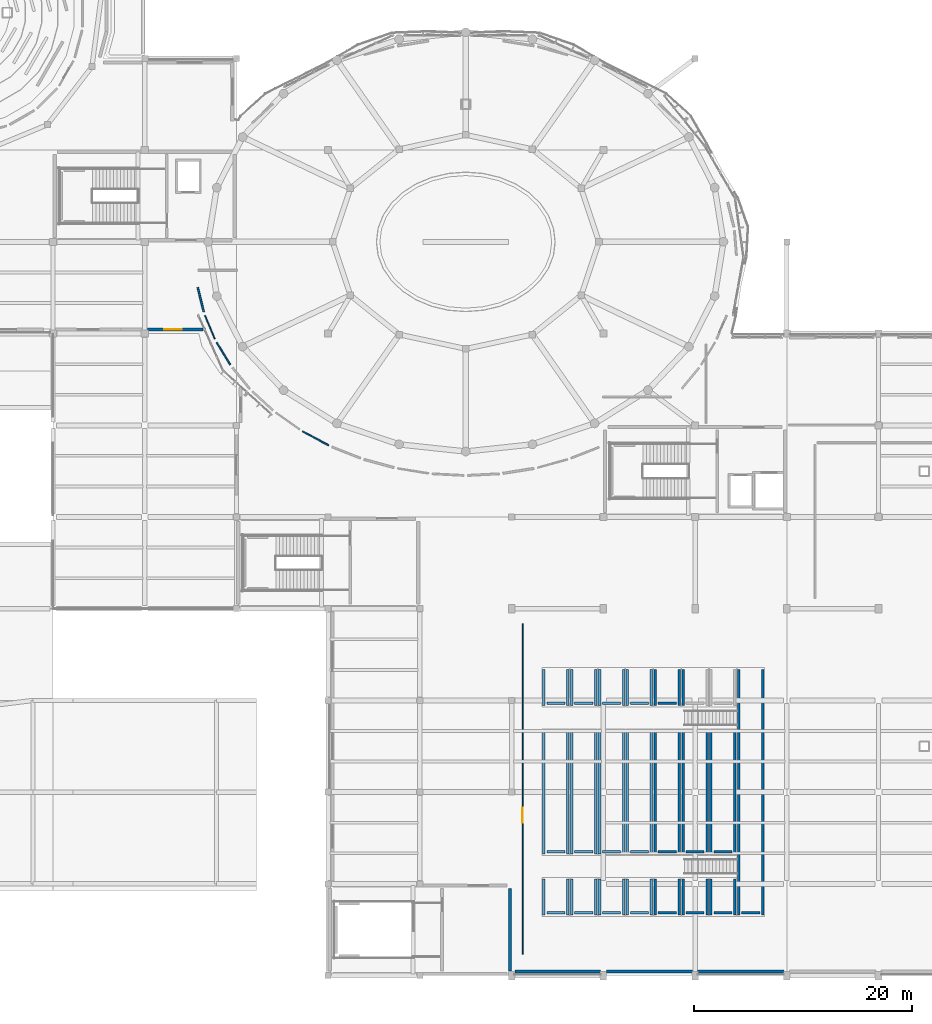
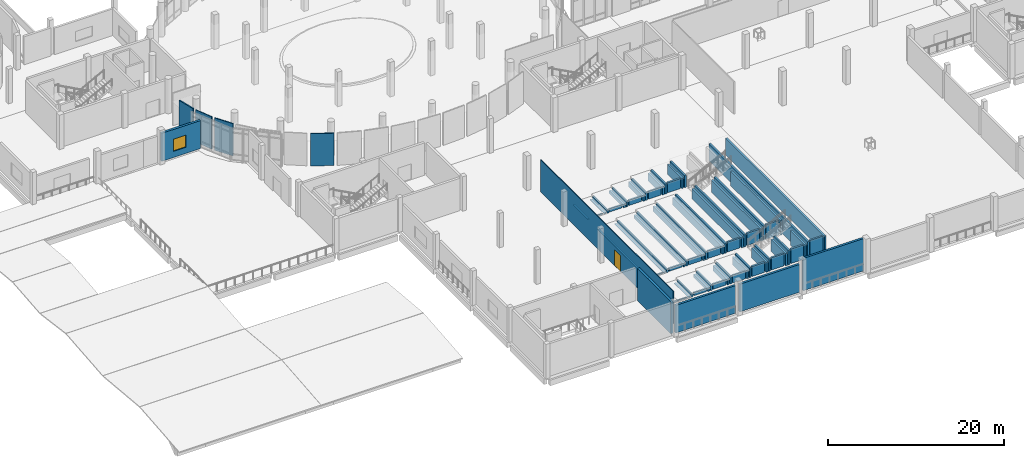
# One storey, part 41 of 63: 71 walls, 1 door, 1 window, 2 openings.
"""IFC4 building model written with IfcOpenShell, lengths in metres."""

from ifc_helpers import new_model, si_unit, derived_unit, direction, frame, frame_2d, origin, place, context, subcontext, project, spatial, rectangle, extrude, material, layer, layer_set, type_object, element, fill, save


model = new_model("IFC4")

# Units and contexts
model_context = context("Model", 3, precision=1e-05, world=origin(), true_north=direction((0.0, 1.0)))
body_context = subcontext(model_context, "Body", "Model", "MODEL_VIEW")
ifc_project = project(units=[si_unit("LENGTHUNIT", "METRE"), si_unit("AREAUNIT", "SQUARE_METRE"), si_unit("VOLUMEUNIT", "CUBIC_METRE"), si_unit("PLANEANGLEUNIT", "RADIAN"), si_unit("MASSUNIT", "GRAM", prefix="KILO"), derived_unit("THERMALTRANSMITTANCEUNIT", [(si_unit("POWERUNIT", "WATT"), 1), (si_unit("LENGTHUNIT", "METRE"), -2), (si_unit("THERMODYNAMICTEMPERATUREUNIT", "KELVIN"), -1)])], contexts=[model_context])

# Site, building, storey
site_placement = place(None, origin())
site = spatial("IfcSite", under=ifc_project, at=site_placement, CompositionType="ELEMENT")
building_placement = place(site_placement, origin())
building = spatial("IfcBuilding", under=site, at=building_placement, Name="Elbkamm Science Centre", CompositionType="ELEMENT")
storey_placement = place(building_placement, frame((0.0, 0.0, 5.10009765625)))
storey = spatial("IfcBuildingStorey", under=building, at=storey_placement, Name="L01", CompositionType="ELEMENT", Elevation=5.10009765625)

# Walls
ifc_material_1 = material(Name="Reinforced concrete C40/50", Category="concrete")
ifc_layer_1 = layer(ifc_material_1, 0.300048828125)
ifc_layer_set_1 = layer_set([ifc_layer_1], Name="Reinforced concrete C40/50")
wall_type_1 = type_object("IfcWallType", Name="WL-CORE-300", PredefinedType="SHEAR", material=ifc_layer_set_1)
wall_1_placement = place(storey_placement, frame((67.050048828125, 0.419921875, 0.0), z_axis=(0.0, 0.0, 1.0), x_axis=(0.0, 1.0, 0.0)))
element("IfcWall", 1, at=wall_1_placement, inside=storey, type_object=wall_type_1, Name="L01 Core C6 South Theatre Assembly Egress Core Shear Wall E", PredefinedType="SHEAR", context=body_context, shape_type="SweptSolid", body=[
    extrude(rectangle(XDim=7.56005859375, YDim=0.300048828125, at=frame_2d((3.780029296875, 0.0))), origin(), (0.0, 0.0, 1.0), 4.52978515625),
])
ifc_material_2 = material(Name="White precast concrete C40/50", Category="concrete")
ifc_layer_2 = layer(ifc_material_2, 0.27001953125)
ifc_layer_set_2 = layer_set([ifc_layer_2], Name="White precast concrete C40/50")
wall_type_2 = type_object("IfcWallType", Name="WL-EXT-270", PredefinedType="SOLIDWALL", material=ifc_layer_set_2)
wall_2_placement = place(storey_placement, frame((92.160888671875, 0.3798828125, 0.0), z_axis=(0.0, 0.0, 1.0), x_axis=(-1.0, 0.0, 0.0)))
element("IfcWall", 2, at=wall_2_placement, inside=storey, type_object=wall_type_2, Name="L01 Exterior Wall 0195", PredefinedType="SOLIDWALL", context=body_context, shape_type="SweptSolid", body=[
    extrude(rectangle(XDim=7.9208984375, YDim=0.27001953125, at=frame_2d((3.96044921875, 0.0))), origin(), (0.0, 0.0, 1.0), 4.5),
])
wall_3_placement = place(storey_placement, frame((75.36083984375, 0.3798828125, 0.0), z_axis=(0.0, 0.0, 1.0), x_axis=(-1.0, 0.0, 0.0)))
element("IfcWall", 3, at=wall_3_placement, inside=storey, type_object=wall_type_2, Name="L01 Exterior Wall 0197", PredefinedType="SOLIDWALL", context=body_context, shape_type="SweptSolid", body=[
    extrude(rectangle(XDim=7.85888671875, YDim=0.27001953125, at=frame_2d((3.929443359375, 0.0))), origin(), (0.0, 0.0, 1.0), 3.849853515625),
])
ifc_layer_3 = layer(ifc_material_2, 0.2900390625)
ifc_layer_set_3 = layer_set([ifc_layer_3], Name="White precast concrete C40/50")
wall_type_3 = type_object("IfcWallType", Name="WL-EXT-290", PredefinedType="SOLIDWALL", material=ifc_layer_set_3)
wall_4_placement = place(storey_placement, frame((83.760986328125, 0.3798828125, 0.0), z_axis=(0.0, 0.0, 1.0), x_axis=(-1.0, 0.0, 0.0)))
element("IfcWall", 4, at=wall_4_placement, inside=storey, type_object=wall_type_3, Name="L01 Exterior Wall 0196", PredefinedType="SOLIDWALL", context=body_context, shape_type="SweptSolid", body=[
    extrude(rectangle(XDim=7.85888671875, YDim=0.2900390625, at=frame_2d((3.929443359375, 0.0))), origin(), (0.0, 0.0, 1.0), 3.849853515625),
])

# Wall, opening, window
wall_5_placement = place(storey_placement, frame((38.952880859375, 59.179931640625, 0.0), z_axis=(0.0, 0.0, 1.0), x_axis=(-1.0, 0.0, 0.0)))
wall_5 = element("IfcWall", 5, at=wall_5_placement, inside=storey, type_object=wall_type_3, Name="L01 Exterior Wall 0202", PredefinedType="SOLIDWALL", context=body_context, shape_type="SweptSolid", body=[
    extrude(rectangle(XDim=5.11376953125, YDim=0.2900390625, at=frame_2d((2.556884765625, 0.0))), origin(), (0.0, 0.0, 1.0), 3.89990234375),
])
opening_1_placement = place(wall_5_placement, frame((1.95458984375, 0.0, 0.85009765625)))
opening_1 = element("IfcOpeningElement", 6, at=opening_1_placement, cuts=wall_5, Name="Opening W-16", PredefinedType="OPENING", context=body_context, shape_type="SweptSolid", body=[
    extrude(rectangle(XDim=1.60009765625, YDim=1.699951171875, at=frame_2d((0.800048828125, 0.85009765625))), frame((0.0, 0.156982421875, 0.0), z_axis=(0.0, -1.0, 0.0), x_axis=(1.0, 0.0, 0.0)), (0.0, 0.0, 1.0), 0.31396484375),
])
ifc_material_3 = material(Name="Thermally broken aluminium and triple solar glass", Category="aluminium")
ifc_layer_4 = layer(ifc_material_3, 0.06005859375)
ifc_layer_set_4 = layer_set([ifc_layer_4], Name="Thermally broken aluminium and triple solar glass")
window_type = type_object("IfcWindowType", Name="WIN-1600x1700", PartitioningType="SINGLE_PANEL", PredefinedType="WINDOW", material=ifc_layer_set_4)
window_placement = place(opening_1_placement, origin())
window = element("IfcWindow", 7, at=window_placement, inside=storey, type_object=window_type, Name="L01 Facade Window 0035", OverallHeight=1.699951171875, OverallWidth=1.60009765625, PartitioningType="SINGLE_PANEL", PredefinedType="WINDOW", context=body_context, shape_type="SweptSolid", body=[
    extrude(rectangle(XDim=1.60009765625, YDim=1.699951171875, at=frame_2d((0.800048828125, 0.85009765625))), frame((0.0, 0.030029296875, 0.0), z_axis=(0.0, -1.0, 0.0), x_axis=(1.0, 0.0, 0.0)), (0.0, 0.0, 1.0), 0.06005859375),
])
fill(opening_1, window)

# Wall
ifc_material_4 = material(Name="Drywall service partition", Category="gypsum")
ifc_layer_5 = layer(ifc_material_4, 0.10009765625)
ifc_layer_set_5 = layer_set([ifc_layer_5], Name="Drywall service partition")
wall_type_4 = type_object("IfcWallType", Name="WL-PART-100", PredefinedType="PARTITIONING", material=ifc_layer_set_5)
wall_6_placement = place(storey_placement, frame((40.01806640625, 58.312255859375, 0.0), z_axis=(0.0, 0.0, 1.0), x_axis=(-0.388038245824, 0.921643271433, 0.0)))
element("IfcWall", 8, at=wall_6_placement, inside=storey, type_object=wall_type_4, Name="L01 Marine Ecology Exhibition Hall Partition 0099", PredefinedType="PARTITIONING", context=body_context, shape_type="SweptSolid", body=[
    extrude(rectangle(XDim=2.327880859375, YDim=0.10009765625, at=frame_2d((1.1640625, 0.0))), origin(), (0.0, 0.0, 1.0), 4.5),
])

# Wall, opening, door
wall_7_placement = place(storey_placement, frame((68.199951171875, 1.97998046875, 0.0), z_axis=(0.0, 0.0, 1.0), x_axis=(0.0, 1.0, 0.0)))
wall_7 = element("IfcWall", 9, at=wall_7_placement, inside=storey, type_object=wall_type_4, Name="L01 Large-Format Science Theatre Partition 0115", PredefinedType="PARTITIONING", context=body_context, shape_type="SweptSolid", body=[
    extrude(rectangle(XDim=30.239990234375, YDim=0.10009765625, at=frame_2d((15.1201171875, 0.0))), origin(), (0.0, 0.0, 1.0), 4.5),
])
opening_2_placement = place(wall_7_placement, frame((12.000732421875, 0.0, 0.0)))
opening_2 = element("IfcOpeningElement", 10, at=opening_2_placement, cuts=wall_7, Name="Opening DI-03", PredefinedType="OPENING", context=body_context, shape_type="SweptSolid", body=[
    extrude(rectangle(XDim=1.39990234375, YDim=2.199951171875, at=frame_2d((0.699951171875, 1.10009765625))), frame((0.0, 0.06201171875, 0.0), z_axis=(0.0, -1.0, 0.0), x_axis=(1.0, 0.0, 0.0)), (0.0, 0.0, 1.0), 0.1240234375),
])
ifc_material_5 = material(Name="Acoustic oak veneer door")
ifc_layer_6 = layer(ifc_material_5, 0.050048828125)
ifc_layer_set_6 = layer_set([ifc_layer_6], Name="Acoustic oak veneer door")
door_type = type_object("IfcDoorType", Name="DR-INT-1400x2200", OperationType="DOUBLE_DOOR_SINGLE_SWING", PredefinedType="DOOR", material=ifc_layer_set_6)
door_placement = place(opening_2_placement, origin())
door = element("IfcDoor", 11, at=door_placement, inside=storey, type_object=door_type, Name="L01 Large-Format Science Theatre Door", OperationType="DOUBLE_DOOR_SINGLE_SWING", OverallHeight=2.199951171875, OverallWidth=1.39990234375, PredefinedType="DOOR", context=body_context, shape_type="SweptSolid", body=[
    extrude(rectangle(XDim=1.39990234375, YDim=2.199951171875, at=frame_2d((0.699951171875, 1.10009765625))), frame((0.0, 0.02490234375, 0.0), z_axis=(0.0, -1.0, 0.0), x_axis=(1.0, 0.0, 0.0)), (0.0, 0.0, 1.0), 0.050048828125),
])
fill(opening_2, door)

# Walls
ifc_material_6 = material(Name="Lightweight metal-stud gypsum partition", Category="gypsum")
ifc_layer_7 = layer(ifc_material_6, 0.125)
ifc_layer_set_7 = layer_set([ifc_layer_7], Name="Lightweight metal-stud gypsum partition")
wall_type_5 = type_object("IfcWallType", Name="WL-PART-125", PredefinedType="PARTITIONING", material=ifc_layer_set_7)
wall_8_placement = place(storey_placement, frame((50.44140625, 48.56494140625, 0.0), z_axis=(0.0, 0.0, 1.0), x_axis=(-0.880337685727, 0.474347508783, 0.0)))
element("IfcWall", 12, at=wall_8_placement, inside=storey, type_object=wall_type_5, Name="L01 Marine Ecology Exhibition Hall Partition 0094", PredefinedType="PARTITIONING", context=body_context, shape_type="SweptSolid", body=[
    extrude(rectangle(XDim=2.70361328125, YDim=0.125, at=frame_2d((1.351806640625, 0.0))), origin(), (0.0, 0.0, 1.0), 4.5),
])
wall_9_placement = place(storey_placement, frame((41.4287109375, 55.95361328125, 0.0), z_axis=(0.0, 0.0, 1.0), x_axis=(-0.521747455483, 0.853099989859, 0.0)))
element("IfcWall", 13, at=wall_9_placement, inside=storey, type_object=wall_type_5, Name="L01 Marine Ecology Exhibition Hall Partition 0098", PredefinedType="PARTITIONING", context=body_context, shape_type="SweptSolid", body=[
    extrude(rectangle(XDim=2.39013671875, YDim=0.125, at=frame_2d((1.195068359375, 0.0))), origin(), (0.0, 0.0, 1.0), 4.5),
])
ifc_material_7 = material(Name="Acoustic metal-stud gypsum partition", Category="gypsum")
ifc_layer_8 = layer(ifc_material_7, 0.159912109375)
ifc_layer_set_8 = layer_set([ifc_layer_8], Name="Acoustic metal-stud gypsum partition")
wall_type_6 = type_object("IfcWallType", Name="WL-PART-160", PredefinedType="PARTITIONING", material=ifc_layer_set_8)
wall_10_placement = place(storey_placement, frame((39.001953125, 60.79833984375, 0.0), z_axis=(0.0, 0.0, 1.0), x_axis=(-0.23946427509, 0.970905176089, 0.0)))
element("IfcWall", 14, at=wall_10_placement, inside=storey, type_object=wall_type_6, Name="L01 Marine Ecology Exhibition Hall Partition 0100", PredefinedType="PARTITIONING", context=body_context, shape_type="SweptSolid", body=[
    extrude(rectangle(XDim=2.28271484375, YDim=0.159912109375, at=frame_2d((1.141357421875, 0.0))), origin(), (0.0, 0.0, 1.0), 4.5),
])
ifc_layer_9 = layer(ifc_material_1, 0.239990234375)
ifc_layer_set_9 = layer_set([ifc_layer_9], Name="Reinforced concrete C40/50")
wall_type_7 = type_object("IfcWallType", Name="WL-RISER-240", PredefinedType="SOLIDWALL", material=ifc_layer_set_9)
for number, where, z_axis, x_axis, name in (
    (15, (70.14990234375, 5.550048828125, 0.0), (0.0, 0.0, 1.0), (0.0, 1.0, 0.0), "Theatre Tier 1-1 Riser Support Wall F"),
    (16, (72.35009765625, 5.550048828125, 0.0), (0.0, 0.0, 1.0), (0.0, 1.0, 0.0), "Theatre Tier 1-1 Riser Support Wall B"),
):
    element("IfcWall", number, at=place(storey_placement, frame(where, z_axis=z_axis, x_axis=x_axis)), inside=storey, type_object=wall_type_7, Name=name, PredefinedType="SOLIDWALL", context=body_context, shape_type="SweptSolid", body=[
        extrude(rectangle(XDim=3.300048828125, YDim=0.239990234375, at=frame_2d((1.64990234375, 0.0))), origin(), (0.0, 0.0, 1.0), 0.08984375),
    ])
wall_11_placement = place(storey_placement, frame((70.419921875, 5.75, 0.0), z_axis=(0.0, 0.0, 1.0), x_axis=(1.0, 0.0, 0.0)))
element("IfcWall", 17, at=wall_11_placement, inside=storey, type_object=wall_type_7, Name="Theatre Tier 1-1 Cross Raker Wall", PredefinedType="SOLIDWALL", context=body_context, shape_type="SweptSolid", body=[
    extrude(rectangle(XDim=1.66015625, YDim=0.239990234375, at=frame_2d((0.830078125, 0.0))), origin(), (0.0, 0.0, 1.0), 0.08984375),
])
for number, where, z_axis, x_axis, name in (
    (18, (70.14990234375, 24.75, 0.0), (0.0, 0.0, 1.0), (0.0, 1.0, 0.0), "Theatre Tier 1-2 Riser Support Wall F"),
    (19, (72.35009765625, 24.75, 0.0), (0.0, 0.0, 1.0), (0.0, 1.0, 0.0), "Theatre Tier 1-2 Riser Support Wall B"),
):
    element("IfcWall", number, at=place(storey_placement, frame(where, z_axis=z_axis, x_axis=x_axis)), inside=storey, type_object=wall_type_7, Name=name, PredefinedType="SOLIDWALL", context=body_context, shape_type="SweptSolid", body=[
        extrude(rectangle(XDim=3.300048828125, YDim=0.239990234375, at=frame_2d((1.64990234375, 0.0))), origin(), (0.0, 0.0, 1.0), 0.08984375),
    ])
wall_12_placement = place(storey_placement, frame((70.419921875, 24.949951171875, 0.0), z_axis=(0.0, 0.0, 1.0), x_axis=(1.0, 0.0, 0.0)))
element("IfcWall", 20, at=wall_12_placement, inside=storey, type_object=wall_type_7, Name="Theatre Tier 1-2 Cross Raker Wall", PredefinedType="SOLIDWALL", context=body_context, shape_type="SweptSolid", body=[
    extrude(rectangle(XDim=1.66015625, YDim=0.239990234375, at=frame_2d((0.830078125, 0.0))), origin(), (0.0, 0.0, 1.0), 0.08984375),
])
for number, where, z_axis, x_axis, name in (
    (21, (70.14990234375, 11.14990234375, 0.0), (0.0, 0.0, 1.0), (0.0, 1.0, 0.0), "Theatre Tier 1-3 Riser Support Wall F"),
    (22, (72.35009765625, 11.14990234375, 0.0), (0.0, 0.0, 1.0), (0.0, 1.0, 0.0), "Theatre Tier 1-3 Riser Support Wall B"),
):
    element("IfcWall", number, at=place(storey_placement, frame(where, z_axis=z_axis, x_axis=x_axis)), inside=storey, type_object=wall_type_7, Name=name, PredefinedType="SOLIDWALL", context=body_context, shape_type="SweptSolid", body=[
        extrude(rectangle(XDim=11.300048828125, YDim=0.239990234375, at=frame_2d((5.64990234375, 0.0))), origin(), (0.0, 0.0, 1.0), 0.08984375),
    ])
wall_13_placement = place(storey_placement, frame((70.419921875, 11.35009765625, 0.0), z_axis=(0.0, 0.0, 1.0), x_axis=(1.0, 0.0, 0.0)))
element("IfcWall", 23, at=wall_13_placement, inside=storey, type_object=wall_type_7, Name="Theatre Tier 1-3 Cross Raker Wall", PredefinedType="SOLIDWALL", context=body_context, shape_type="SweptSolid", body=[
    extrude(rectangle(XDim=1.66015625, YDim=0.239990234375, at=frame_2d((0.830078125, 0.0))), origin(), (0.0, 0.0, 1.0), 0.08984375),
])
for number, where, z_axis, x_axis, name in (
    (24, (72.699951171875, 5.550048828125, 0.0), (0.0, 0.0, 1.0), (0.0, 1.0, 0.0), "Theatre Tier 2-1 Riser Support Wall F"),
    (25, (74.89990234375, 5.550048828125, 0.0), (0.0, 0.0, 1.0), (0.0, 1.0, 0.0), "Theatre Tier 2-1 Riser Support Wall B"),
):
    element("IfcWall", number, at=place(storey_placement, frame(where, z_axis=z_axis, x_axis=x_axis)), inside=storey, type_object=wall_type_7, Name=name, PredefinedType="SOLIDWALL", context=body_context, shape_type="SweptSolid", body=[
        extrude(rectangle(XDim=3.300048828125, YDim=0.239990234375, at=frame_2d((1.64990234375, 0.0))), origin(), (0.0, 0.0, 1.0), 0.409912109375),
    ])
wall_14_placement = place(storey_placement, frame((72.969970703125, 5.75, 0.0), z_axis=(0.0, 0.0, 1.0), x_axis=(1.0, 0.0, 0.0)))
element("IfcWall", 26, at=wall_14_placement, inside=storey, type_object=wall_type_7, Name="Theatre Tier 2-1 Cross Raker Wall", PredefinedType="SOLIDWALL", context=body_context, shape_type="SweptSolid", body=[
    extrude(rectangle(XDim=1.659912109375, YDim=0.239990234375, at=frame_2d((0.830078125, 0.0))), origin(), (0.0, 0.0, 1.0), 0.409912109375),
])
for number, where, z_axis, x_axis, name in (
    (27, (72.699951171875, 24.75, 0.0), (0.0, 0.0, 1.0), (0.0, 1.0, 0.0), "Theatre Tier 2-2 Riser Support Wall F"),
    (28, (74.89990234375, 24.75, 0.0), (0.0, 0.0, 1.0), (0.0, 1.0, 0.0), "Theatre Tier 2-2 Riser Support Wall B"),
):
    element("IfcWall", number, at=place(storey_placement, frame(where, z_axis=z_axis, x_axis=x_axis)), inside=storey, type_object=wall_type_7, Name=name, PredefinedType="SOLIDWALL", context=body_context, shape_type="SweptSolid", body=[
        extrude(rectangle(XDim=3.300048828125, YDim=0.239990234375, at=frame_2d((1.64990234375, 0.0))), origin(), (0.0, 0.0, 1.0), 0.409912109375),
    ])
wall_15_placement = place(storey_placement, frame((72.969970703125, 24.949951171875, 0.0), z_axis=(0.0, 0.0, 1.0), x_axis=(1.0, 0.0, 0.0)))
element("IfcWall", 29, at=wall_15_placement, inside=storey, type_object=wall_type_7, Name="Theatre Tier 2-2 Cross Raker Wall", PredefinedType="SOLIDWALL", context=body_context, shape_type="SweptSolid", body=[
    extrude(rectangle(XDim=1.659912109375, YDim=0.239990234375, at=frame_2d((0.830078125, 0.0))), origin(), (0.0, 0.0, 1.0), 0.409912109375),
])
for number, where, z_axis, x_axis, name in (
    (30, (72.699951171875, 11.14990234375, 0.0), (0.0, 0.0, 1.0), (0.0, 1.0, 0.0), "Theatre Tier 2-3 Riser Support Wall F"),
    (31, (74.89990234375, 11.14990234375, 0.0), (0.0, 0.0, 1.0), (0.0, 1.0, 0.0), "Theatre Tier 2-3 Riser Support Wall B"),
):
    element("IfcWall", number, at=place(storey_placement, frame(where, z_axis=z_axis, x_axis=x_axis)), inside=storey, type_object=wall_type_7, Name=name, PredefinedType="SOLIDWALL", context=body_context, shape_type="SweptSolid", body=[
        extrude(rectangle(XDim=11.300048828125, YDim=0.239990234375, at=frame_2d((5.64990234375, 0.0))), origin(), (0.0, 0.0, 1.0), 0.409912109375),
    ])
wall_16_placement = place(storey_placement, frame((72.969970703125, 11.35009765625, 0.0), z_axis=(0.0, 0.0, 1.0), x_axis=(1.0, 0.0, 0.0)))
element("IfcWall", 32, at=wall_16_placement, inside=storey, type_object=wall_type_7, Name="Theatre Tier 2-3 Cross Raker Wall", PredefinedType="SOLIDWALL", context=body_context, shape_type="SweptSolid", body=[
    extrude(rectangle(XDim=1.659912109375, YDim=0.239990234375, at=frame_2d((0.830078125, 0.0))), origin(), (0.0, 0.0, 1.0), 0.409912109375),
])
for number, where, z_axis, x_axis, name in (
    (33, (75.25, 5.550048828125, 0.0), (0.0, 0.0, 1.0), (0.0, 1.0, 0.0), "Theatre Tier 3-1 Riser Support Wall F"),
    (34, (77.449951171875, 5.550048828125, 0.0), (0.0, 0.0, 1.0), (0.0, 1.0, 0.0), "Theatre Tier 3-1 Riser Support Wall B"),
):
    element("IfcWall", number, at=place(storey_placement, frame(where, z_axis=z_axis, x_axis=x_axis)), inside=storey, type_object=wall_type_7, Name=name, PredefinedType="SOLIDWALL", context=body_context, shape_type="SweptSolid", body=[
        extrude(rectangle(XDim=3.300048828125, YDim=0.239990234375, at=frame_2d((1.64990234375, 0.0))), origin(), (0.0, 0.0, 1.0), 0.72998046875),
    ])
wall_17_placement = place(storey_placement, frame((75.52001953125, 5.75, 0.0), z_axis=(0.0, 0.0, 1.0), x_axis=(1.0, 0.0, 0.0)))
element("IfcWall", 35, at=wall_17_placement, inside=storey, type_object=wall_type_7, Name="Theatre Tier 3-1 Cross Raker Wall", PredefinedType="SOLIDWALL", context=body_context, shape_type="SweptSolid", body=[
    extrude(rectangle(XDim=1.659912109375, YDim=0.239990234375, at=frame_2d((0.830078125, 0.0))), origin(), (0.0, 0.0, 1.0), 0.72998046875),
])
for number, where, z_axis, x_axis, name in (
    (36, (75.25, 24.75, 0.0), (0.0, 0.0, 1.0), (0.0, 1.0, 0.0), "Theatre Tier 3-2 Riser Support Wall F"),
    (37, (77.449951171875, 24.75, 0.0), (0.0, 0.0, 1.0), (0.0, 1.0, 0.0), "Theatre Tier 3-2 Riser Support Wall B"),
):
    element("IfcWall", number, at=place(storey_placement, frame(where, z_axis=z_axis, x_axis=x_axis)), inside=storey, type_object=wall_type_7, Name=name, PredefinedType="SOLIDWALL", context=body_context, shape_type="SweptSolid", body=[
        extrude(rectangle(XDim=3.300048828125, YDim=0.239990234375, at=frame_2d((1.64990234375, 0.0))), origin(), (0.0, 0.0, 1.0), 0.72998046875),
    ])
wall_18_placement = place(storey_placement, frame((75.52001953125, 24.949951171875, 0.0), z_axis=(0.0, 0.0, 1.0), x_axis=(1.0, 0.0, 0.0)))
element("IfcWall", 38, at=wall_18_placement, inside=storey, type_object=wall_type_7, Name="Theatre Tier 3-2 Cross Raker Wall", PredefinedType="SOLIDWALL", context=body_context, shape_type="SweptSolid", body=[
    extrude(rectangle(XDim=1.659912109375, YDim=0.239990234375, at=frame_2d((0.830078125, 0.0))), origin(), (0.0, 0.0, 1.0), 0.72998046875),
])
for number, where, z_axis, x_axis, name in (
    (39, (75.25, 11.14990234375, 0.0), (0.0, 0.0, 1.0), (0.0, 1.0, 0.0), "Theatre Tier 3-3 Riser Support Wall F"),
    (40, (77.449951171875, 11.14990234375, 0.0), (0.0, 0.0, 1.0), (0.0, 1.0, 0.0), "Theatre Tier 3-3 Riser Support Wall B"),
):
    element("IfcWall", number, at=place(storey_placement, frame(where, z_axis=z_axis, x_axis=x_axis)), inside=storey, type_object=wall_type_7, Name=name, PredefinedType="SOLIDWALL", context=body_context, shape_type="SweptSolid", body=[
        extrude(rectangle(XDim=11.300048828125, YDim=0.239990234375, at=frame_2d((5.64990234375, 0.0))), origin(), (0.0, 0.0, 1.0), 0.72998046875),
    ])
wall_19_placement = place(storey_placement, frame((75.52001953125, 11.35009765625, 0.0), z_axis=(0.0, 0.0, 1.0), x_axis=(1.0, 0.0, 0.0)))
element("IfcWall", 41, at=wall_19_placement, inside=storey, type_object=wall_type_7, Name="Theatre Tier 3-3 Cross Raker Wall", PredefinedType="SOLIDWALL", context=body_context, shape_type="SweptSolid", body=[
    extrude(rectangle(XDim=1.659912109375, YDim=0.239990234375, at=frame_2d((0.830078125, 0.0))), origin(), (0.0, 0.0, 1.0), 0.72998046875),
])
for number, where, z_axis, x_axis, name in (
    (42, (77.800048828125, 5.550048828125, 0.0), (0.0, 0.0, 1.0), (0.0, 1.0, 0.0), "Theatre Tier 4-1 Riser Support Wall F"),
    (43, (80.0, 5.550048828125, 0.0), (0.0, 0.0, 1.0), (0.0, 1.0, 0.0), "Theatre Tier 4-1 Riser Support Wall B"),
):
    element("IfcWall", number, at=place(storey_placement, frame(where, z_axis=z_axis, x_axis=x_axis)), inside=storey, type_object=wall_type_7, Name=name, PredefinedType="SOLIDWALL", context=body_context, shape_type="SweptSolid", body=[
        extrude(rectangle(XDim=3.300048828125, YDim=0.239990234375, at=frame_2d((1.64990234375, 0.0))), origin(), (0.0, 0.0, 1.0), 1.0498046875),
    ])
wall_20_placement = place(storey_placement, frame((78.070068359375, 5.75, 0.0), z_axis=(0.0, 0.0, 1.0), x_axis=(1.0, 0.0, 0.0)))
element("IfcWall", 44, at=wall_20_placement, inside=storey, type_object=wall_type_7, Name="Theatre Tier 4-1 Cross Raker Wall", PredefinedType="SOLIDWALL", context=body_context, shape_type="SweptSolid", body=[
    extrude(rectangle(XDim=1.659912109375, YDim=0.239990234375, at=frame_2d((0.830078125, 0.0))), origin(), (0.0, 0.0, 1.0), 1.0498046875),
])
for number, where, z_axis, x_axis, name in (
    (45, (77.800048828125, 24.75, 0.0), (0.0, 0.0, 1.0), (0.0, 1.0, 0.0), "Theatre Tier 4-2 Riser Support Wall F"),
    (46, (80.0, 24.75, 0.0), (0.0, 0.0, 1.0), (0.0, 1.0, 0.0), "Theatre Tier 4-2 Riser Support Wall B"),
):
    element("IfcWall", number, at=place(storey_placement, frame(where, z_axis=z_axis, x_axis=x_axis)), inside=storey, type_object=wall_type_7, Name=name, PredefinedType="SOLIDWALL", context=body_context, shape_type="SweptSolid", body=[
        extrude(rectangle(XDim=3.300048828125, YDim=0.239990234375, at=frame_2d((1.64990234375, 0.0))), origin(), (0.0, 0.0, 1.0), 1.0498046875),
    ])
wall_21_placement = place(storey_placement, frame((78.070068359375, 24.949951171875, 0.0), z_axis=(0.0, 0.0, 1.0), x_axis=(1.0, 0.0, 0.0)))
element("IfcWall", 47, at=wall_21_placement, inside=storey, type_object=wall_type_7, Name="Theatre Tier 4-2 Cross Raker Wall", PredefinedType="SOLIDWALL", context=body_context, shape_type="SweptSolid", body=[
    extrude(rectangle(XDim=1.659912109375, YDim=0.239990234375, at=frame_2d((0.830078125, 0.0))), origin(), (0.0, 0.0, 1.0), 1.0498046875),
])
for number, where, z_axis, x_axis, name in (
    (48, (77.800048828125, 11.14990234375, 0.0), (0.0, 0.0, 1.0), (0.0, 1.0, 0.0), "Theatre Tier 4-3 Riser Support Wall F"),
    (49, (80.0, 11.14990234375, 0.0), (0.0, 0.0, 1.0), (0.0, 1.0, 0.0), "Theatre Tier 4-3 Riser Support Wall B"),
):
    element("IfcWall", number, at=place(storey_placement, frame(where, z_axis=z_axis, x_axis=x_axis)), inside=storey, type_object=wall_type_7, Name=name, PredefinedType="SOLIDWALL", context=body_context, shape_type="SweptSolid", body=[
        extrude(rectangle(XDim=11.300048828125, YDim=0.239990234375, at=frame_2d((5.64990234375, 0.0))), origin(), (0.0, 0.0, 1.0), 1.0498046875),
    ])
wall_22_placement = place(storey_placement, frame((78.070068359375, 11.35009765625, 0.0), z_axis=(0.0, 0.0, 1.0), x_axis=(1.0, 0.0, 0.0)))
element("IfcWall", 50, at=wall_22_placement, inside=storey, type_object=wall_type_7, Name="Theatre Tier 4-3 Cross Raker Wall", PredefinedType="SOLIDWALL", context=body_context, shape_type="SweptSolid", body=[
    extrude(rectangle(XDim=1.659912109375, YDim=0.239990234375, at=frame_2d((0.830078125, 0.0))), origin(), (0.0, 0.0, 1.0), 1.0498046875),
])
for number, where, z_axis, x_axis, name in (
    (51, (80.35009765625, 5.550048828125, 0.0), (0.0, 0.0, 1.0), (0.0, 1.0, 0.0), "Theatre Tier 5-1 Riser Support Wall F"),
    (52, (82.550048828125, 5.550048828125, 0.0), (0.0, 0.0, 1.0), (0.0, 1.0, 0.0), "Theatre Tier 5-1 Riser Support Wall B"),
):
    element("IfcWall", number, at=place(storey_placement, frame(where, z_axis=z_axis, x_axis=x_axis)), inside=storey, type_object=wall_type_7, Name=name, PredefinedType="SOLIDWALL", context=body_context, shape_type="SweptSolid", body=[
        extrude(rectangle(XDim=3.300048828125, YDim=0.239990234375, at=frame_2d((1.64990234375, 0.0))), origin(), (0.0, 0.0, 1.0), 1.369873046875),
    ])
wall_23_placement = place(storey_placement, frame((80.6201171875, 5.75, 0.0), z_axis=(0.0, 0.0, 1.0), x_axis=(1.0, 0.0, 0.0)))
element("IfcWall", 53, at=wall_23_placement, inside=storey, type_object=wall_type_7, Name="Theatre Tier 5-1 Cross Raker Wall", PredefinedType="SOLIDWALL", context=body_context, shape_type="SweptSolid", body=[
    extrude(rectangle(XDim=1.659912109375, YDim=0.239990234375, at=frame_2d((0.830078125, 0.0))), origin(), (0.0, 0.0, 1.0), 1.369873046875),
])
for number, where, z_axis, x_axis, name in (
    (54, (80.35009765625, 24.75, 0.0), (0.0, 0.0, 1.0), (0.0, 1.0, 0.0), "Theatre Tier 5-2 Riser Support Wall F"),
    (55, (82.550048828125, 24.75, 0.0), (0.0, 0.0, 1.0), (0.0, 1.0, 0.0), "Theatre Tier 5-2 Riser Support Wall B"),
):
    element("IfcWall", number, at=place(storey_placement, frame(where, z_axis=z_axis, x_axis=x_axis)), inside=storey, type_object=wall_type_7, Name=name, PredefinedType="SOLIDWALL", context=body_context, shape_type="SweptSolid", body=[
        extrude(rectangle(XDim=3.300048828125, YDim=0.239990234375, at=frame_2d((1.64990234375, 0.0))), origin(), (0.0, 0.0, 1.0), 1.369873046875),
    ])
wall_24_placement = place(storey_placement, frame((80.6201171875, 24.949951171875, 0.0), z_axis=(0.0, 0.0, 1.0), x_axis=(1.0, 0.0, 0.0)))
element("IfcWall", 56, at=wall_24_placement, inside=storey, type_object=wall_type_7, Name="Theatre Tier 5-2 Cross Raker Wall", PredefinedType="SOLIDWALL", context=body_context, shape_type="SweptSolid", body=[
    extrude(rectangle(XDim=1.659912109375, YDim=0.239990234375, at=frame_2d((0.830078125, 0.0))), origin(), (0.0, 0.0, 1.0), 1.369873046875),
])
for number, where, z_axis, x_axis, name in (
    (57, (80.35009765625, 11.14990234375, 0.0), (0.0, 0.0, 1.0), (0.0, 1.0, 0.0), "Theatre Tier 5-3 Riser Support Wall F"),
    (58, (82.550048828125, 11.14990234375, 0.0), (0.0, 0.0, 1.0), (0.0, 1.0, 0.0), "Theatre Tier 5-3 Riser Support Wall B"),
):
    element("IfcWall", number, at=place(storey_placement, frame(where, z_axis=z_axis, x_axis=x_axis)), inside=storey, type_object=wall_type_7, Name=name, PredefinedType="SOLIDWALL", context=body_context, shape_type="SweptSolid", body=[
        extrude(rectangle(XDim=11.300048828125, YDim=0.239990234375, at=frame_2d((5.64990234375, 0.0))), origin(), (0.0, 0.0, 1.0), 1.369873046875),
    ])
wall_25_placement = place(storey_placement, frame((80.6201171875, 11.35009765625, 0.0), z_axis=(0.0, 0.0, 1.0), x_axis=(1.0, 0.0, 0.0)))
element("IfcWall", 59, at=wall_25_placement, inside=storey, type_object=wall_type_7, Name="Theatre Tier 5-3 Cross Raker Wall", PredefinedType="SOLIDWALL", context=body_context, shape_type="SweptSolid", body=[
    extrude(rectangle(XDim=1.659912109375, YDim=0.239990234375, at=frame_2d((0.830078125, 0.0))), origin(), (0.0, 0.0, 1.0), 1.369873046875),
])
for number, where, z_axis, x_axis, name in (
    (60, (82.89990234375, 5.550048828125, 0.0), (0.0, 0.0, 1.0), (0.0, 1.0, 0.0), "Theatre Tier 6-1 Riser Support Wall F"),
    (61, (85.10009765625, 5.550048828125, 0.0), (0.0, 0.0, 1.0), (0.0, 1.0, 0.0), "Theatre Tier 6-1 Riser Support Wall B"),
):
    element("IfcWall", number, at=place(storey_placement, frame(where, z_axis=z_axis, x_axis=x_axis)), inside=storey, type_object=wall_type_7, Name=name, PredefinedType="SOLIDWALL", context=body_context, shape_type="SweptSolid", body=[
        extrude(rectangle(XDim=3.300048828125, YDim=0.239990234375, at=frame_2d((1.64990234375, 0.0))), origin(), (0.0, 0.0, 1.0), 1.68994140625),
    ])
wall_26_placement = place(storey_placement, frame((83.169921875, 5.75, 0.0), z_axis=(0.0, 0.0, 1.0), x_axis=(1.0, 0.0, 0.0)))
element("IfcWall", 62, at=wall_26_placement, inside=storey, type_object=wall_type_7, Name="Theatre Tier 6-1 Cross Raker Wall", PredefinedType="SOLIDWALL", context=body_context, shape_type="SweptSolid", body=[
    extrude(rectangle(XDim=1.66015625, YDim=0.239990234375, at=frame_2d((0.830078125, 0.0))), origin(), (0.0, 0.0, 1.0), 1.68994140625),
])
wall_27_placement = place(storey_placement, frame((82.89990234375, 24.75, 0.0), z_axis=(0.0, 0.0, 1.0), x_axis=(0.0, 1.0, 0.0)))
element("IfcWall", 63, at=wall_27_placement, inside=storey, type_object=wall_type_7, Name="Theatre Tier 6-2 Riser Support Wall F", PredefinedType="SOLIDWALL", context=body_context, shape_type="SweptSolid", body=[
    extrude(rectangle(XDim=3.300048828125, YDim=0.239990234375, at=frame_2d((1.64990234375, 0.0))), origin(), (0.0, 0.0, 1.0), 1.68994140625),
])
for number, where, z_axis, x_axis, name in (
    (64, (82.89990234375, 11.14990234375, 0.0), (0.0, 0.0, 1.0), (0.0, 1.0, 0.0), "Theatre Tier 6-3 Riser Support Wall F"),
    (65, (85.10009765625, 11.14990234375, 0.0), (0.0, 0.0, 1.0), (0.0, 1.0, 0.0), "Theatre Tier 6-3 Riser Support Wall B"),
):
    element("IfcWall", number, at=place(storey_placement, frame(where, z_axis=z_axis, x_axis=x_axis)), inside=storey, type_object=wall_type_7, Name=name, PredefinedType="SOLIDWALL", context=body_context, shape_type="SweptSolid", body=[
        extrude(rectangle(XDim=11.300048828125, YDim=0.239990234375, at=frame_2d((5.64990234375, 0.0))), origin(), (0.0, 0.0, 1.0), 1.68994140625),
    ])
wall_28_placement = place(storey_placement, frame((83.169921875, 11.35009765625, 0.0), z_axis=(0.0, 0.0, 1.0), x_axis=(1.0, 0.0, 0.0)))
element("IfcWall", 66, at=wall_28_placement, inside=storey, type_object=wall_type_7, Name="Theatre Tier 6-3 Cross Raker Wall", PredefinedType="SOLIDWALL", context=body_context, shape_type="SweptSolid", body=[
    extrude(rectangle(XDim=1.66015625, YDim=0.239990234375, at=frame_2d((0.830078125, 0.0))), origin(), (0.0, 0.0, 1.0), 1.68994140625),
])
for number, where, z_axis, x_axis, name in (
    (67, (85.449951171875, 5.550048828125, 0.0), (0.0, 0.0, 1.0), (0.0, 1.0, 0.0), "Theatre Tier 7-1 Riser Support Wall F"),
    (68, (87.64990234375, 5.550048828125, 0.0), (0.0, 0.0, 1.0), (0.0, 1.0, 0.0), "Theatre Tier 7-1 Riser Support Wall B"),
):
    element("IfcWall", number, at=place(storey_placement, frame(where, z_axis=z_axis, x_axis=x_axis)), inside=storey, type_object=wall_type_7, Name=name, PredefinedType="SOLIDWALL", context=body_context, shape_type="SweptSolid", body=[
        extrude(rectangle(XDim=3.300048828125, YDim=0.239990234375, at=frame_2d((1.64990234375, 0.0))), origin(), (0.0, 0.0, 1.0), 2.010009765625),
    ])
wall_29_placement = place(storey_placement, frame((85.719970703125, 5.75, 0.0), z_axis=(0.0, 0.0, 1.0), x_axis=(1.0, 0.0, 0.0)))
element("IfcWall", 69, at=wall_29_placement, inside=storey, type_object=wall_type_7, Name="Theatre Tier 7-1 Cross Raker Wall", PredefinedType="SOLIDWALL", context=body_context, shape_type="SweptSolid", body=[
    extrude(rectangle(XDim=1.659912109375, YDim=0.239990234375, at=frame_2d((0.830078125, 0.0))), origin(), (0.0, 0.0, 1.0), 2.010009765625),
])
for number, where, z_axis, x_axis, name in (
    (70, (85.449951171875, 11.14990234375, 0.0), (0.0, 0.0, 1.0), (0.0, 1.0, 0.0), "Theatre Tier 7-3 Riser Support Wall F"),
    (71, (87.64990234375, 11.14990234375, 0.0), (0.0, 0.0, 1.0), (0.0, 1.0, 0.0), "Theatre Tier 7-3 Riser Support Wall B"),
):
    element("IfcWall", number, at=place(storey_placement, frame(where, z_axis=z_axis, x_axis=x_axis)), inside=storey, type_object=wall_type_7, Name=name, PredefinedType="SOLIDWALL", context=body_context, shape_type="SweptSolid", body=[
        extrude(rectangle(XDim=11.300048828125, YDim=0.239990234375, at=frame_2d((5.64990234375, 0.0))), origin(), (0.0, 0.0, 1.0), 2.010009765625),
    ])
wall_30_placement = place(storey_placement, frame((85.719970703125, 11.35009765625, 0.0), z_axis=(0.0, 0.0, 1.0), x_axis=(1.0, 0.0, 0.0)))
element("IfcWall", 72, at=wall_30_placement, inside=storey, type_object=wall_type_7, Name="Theatre Tier 7-3 Cross Raker Wall", PredefinedType="SOLIDWALL", context=body_context, shape_type="SweptSolid", body=[
    extrude(rectangle(XDim=1.659912109375, YDim=0.239990234375, at=frame_2d((0.830078125, 0.0))), origin(), (0.0, 0.0, 1.0), 2.010009765625),
])
for number, where, z_axis, x_axis, name in (
    (73, (88.0, 5.550048828125, 0.0), (0.0, 0.0, 1.0), (0.0, 1.0, 0.0), "Theatre Tier 8-1 Riser Support Wall F"),
    (74, (90.199951171875, 5.550048828125, 0.0), (0.0, 0.0, 1.0), (0.0, 1.0, 0.0), "Theatre Tier 8-1 Riser Support Wall B"),
):
    element("IfcWall", number, at=place(storey_placement, frame(where, z_axis=z_axis, x_axis=x_axis)), inside=storey, type_object=wall_type_7, Name=name, PredefinedType="SOLIDWALL", context=body_context, shape_type="SweptSolid", body=[
        extrude(rectangle(XDim=22.5, YDim=0.239990234375, at=frame_2d((11.25, 0.0))), origin(), (0.0, 0.0, 1.0), 2.329833984375),
    ])
wall_31_placement = place(storey_placement, frame((88.27001953125, 5.75, 0.0), z_axis=(0.0, 0.0, 1.0), x_axis=(1.0, 0.0, 0.0)))
element("IfcWall", 75, at=wall_31_placement, inside=storey, type_object=wall_type_7, Name="Theatre Tier 8-1 Cross Raker Wall", PredefinedType="SOLIDWALL", context=body_context, shape_type="SweptSolid", body=[
    extrude(rectangle(XDim=1.659912109375, YDim=0.239990234375, at=frame_2d((0.830078125, 0.0))), origin(), (0.0, 0.0, 1.0), 2.329833984375),
])

save(model, "model.ifc")
